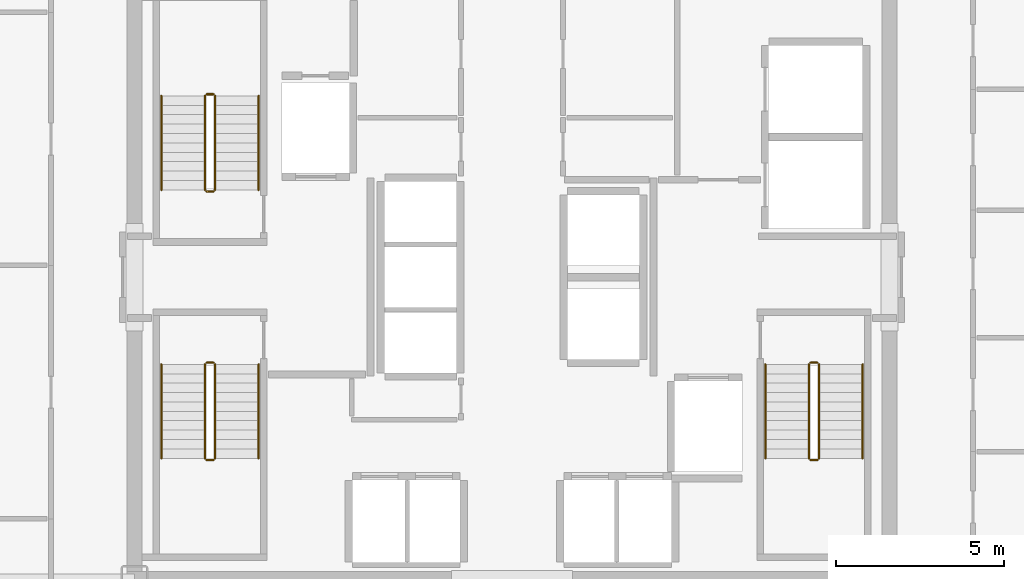
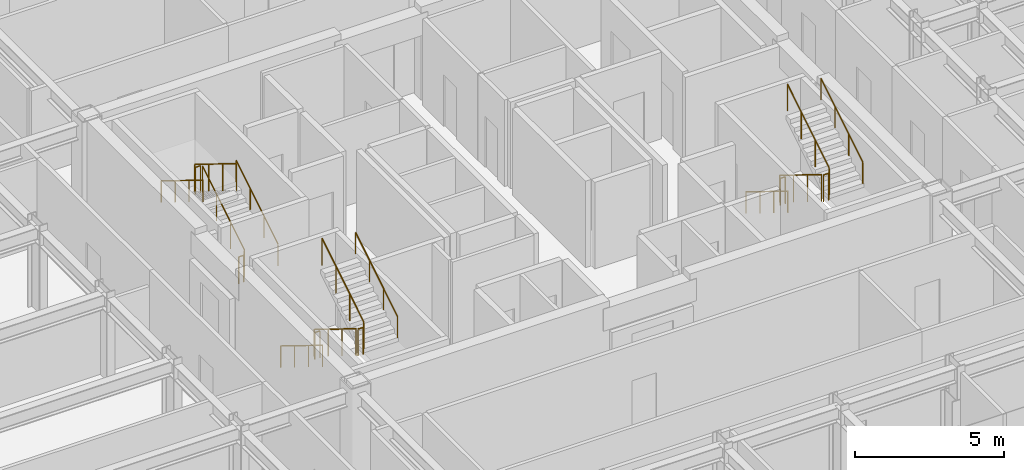
# One storey, part 21 of 21: 18 railings.
"""IFC4 building model written with IfcOpenShell, lengths in metres."""

from ifc_helpers import new_model, si_unit, direction, frame, origin, origin_2d, place, context, subcontext, project, spatial, circle, extrude, material, type_object, element, save


model = new_model("IFC4")

# Units and contexts
model_context = context("Model", 3, precision=1e-05, world=origin(), true_north=direction((0.0, 1.0)))
body_context = subcontext(model_context, "Body", "Model", "MODEL_VIEW")
ifc_project = project(units=[si_unit("LENGTHUNIT", "METRE"), si_unit("AREAUNIT", "SQUARE_METRE"), si_unit("VOLUMEUNIT", "CUBIC_METRE"), si_unit("PLANEANGLEUNIT", "RADIAN"), si_unit("MASSUNIT", "GRAM", prefix="KILO")], contexts=[model_context])

# Site, building, storey
site_placement = place(None, origin())
site = spatial("IfcSite", under=ifc_project, at=site_placement, CompositionType="ELEMENT")
building_placement = place(site_placement, origin())
building = spatial("IfcBuilding", under=site, at=building_placement, Name="Nefas-Gora Pilgrimage Tower", CompositionType="ELEMENT")
storey_placement = place(building_placement, frame((0.0, 0.0, 252.199951171875)))
storey = spatial("IfcBuildingStorey", under=building, at=storey_placement, Name="L63", CompositionType="ELEMENT", Elevation=252.199951171875)

# Railings
ifc_material_1 = material(Name="Painted galvanised steel", Category="steel")
railing_type_1 = type_object("IfcRailingType", Name="RLG-STR-GUARD-1100", PredefinedType="GUARDRAIL", material=ifc_material_1)
railing_1_placement = place(storey_placement, frame((-8.85009765625, 2.60009765625, 0.1728515625)))
element("IfcRailing", 1, at=railing_1_placement, inside=storey, type_object=railing_type_1, Name="L63 ST-01 stair guard 1", PredefinedType="GUARDRAIL", context=body_context, shape_type="SweptSolid", body=[
    extrude(circle(Radius=0.02392578125, at=origin_2d()), frame((0.0, 0.0, 1.09619140625), z_axis=(0.0, 0.851069175582, 0.525053576669), x_axis=(-1.0, 0.0, 0.0)), (0.0, 0.0, 1.0), 3.289794921875),
    extrude(circle(Radius=0.02099609375, at=origin_2d()), origin(), (0.0, 0.0, 1.0), 1.072021484375),
    extrude(circle(Radius=0.02099609375, at=origin_2d()), frame((0.0, 0.933349609375, 0.57568359375)), (0.0, 0.0, 1.0), 1.072021484375),
    extrude(circle(Radius=0.02099609375, at=origin_2d()), frame((0.0, 1.866455078125, 1.151611328125)), (0.0, 0.0, 1.0), 1.072021484375),
    extrude(circle(Radius=0.02099609375, at=origin_2d()), frame((0.0, 2.7998046875, 1.727294921875)), (0.0, 0.0, 1.0), 1.072021484375),
])
railing_2_placement = place(storey_placement, frame((-8.89990234375, 5.449951171875, 1.900146484375)))
element("IfcRailing", 2, at=railing_2_placement, inside=storey, type_object=railing_type_1, Name="L63 ST-01 stair guard 2", PredefinedType="GUARDRAIL", context=body_context, shape_type="SweptSolid", body=[
    extrude(circle(Radius=0.02392578125, at=origin_2d()), frame((0.0, 0.0, 1.09619140625), z_axis=(-1.0, 0.0, 0.0), x_axis=(0.0, -1.0, 0.0)), (0.0, 0.0, 1.0), 0.2001953125),
    extrude(circle(Radius=0.02099609375, at=origin_2d()), origin(), (0.0, 0.0, 1.0), 1.072021484375),
    extrude(circle(Radius=0.02099609375, at=origin_2d()), frame((-0.2001953125, 0.0, 0.0)), (0.0, 0.0, 1.0), 1.072021484375),
])
railing_3_placement = place(storey_placement, frame((-9.14990234375, 5.39990234375, 2.07275390625)))
element("IfcRailing", 3, at=railing_3_placement, inside=storey, type_object=railing_type_1, Name="L63 ST-01 stair guard 3", PredefinedType="GUARDRAIL", context=body_context, shape_type="SweptSolid", body=[
    extrude(circle(Radius=0.02392578125, at=origin_2d()), frame((0.0, 0.0, 1.09619140625), z_axis=(0.0, -0.851069175582, 0.525053576669), x_axis=(1.0, 0.0, 0.0)), (0.0, 0.0, 1.0), 3.289794921875),
    extrude(circle(Radius=0.02099609375, at=origin_2d()), origin(), (0.0, 0.0, 1.0), 1.072021484375),
    extrude(circle(Radius=0.02099609375, at=origin_2d()), frame((0.0, -0.933349609375, 0.57568359375)), (0.0, 0.0, 1.0), 1.072021484375),
    extrude(circle(Radius=0.02099609375, at=origin_2d()), frame((0.0, -1.866455078125, 1.151611328125)), (0.0, 0.0, 1.0), 1.072021484375),
    extrude(circle(Radius=0.02099609375, at=origin_2d()), frame((0.0, -2.7998046875, 1.727294921875)), (0.0, 0.0, 1.0), 1.072021484375),
])
railing_4_placement = place(storey_placement, frame((-8.89990234375, 2.550048828125, 0.0)))
element("IfcRailing", 4, at=railing_4_placement, inside=storey, type_object=railing_type_1, Name="L63 ST-01 stair guard 4", PredefinedType="GUARDRAIL", context=body_context, shape_type="SweptSolid", body=[
    extrude(circle(Radius=0.02392578125, at=origin_2d()), frame((0.0, 0.0, 1.09619140625), z_axis=(-1.0, 0.0, 0.0), x_axis=(0.0, -1.0, 0.0)), (0.0, 0.0, 1.0), 0.2001953125),
    extrude(circle(Radius=0.02099609375, at=origin_2d()), origin(), (0.0, 0.0, 1.0), 1.072021484375),
    extrude(circle(Radius=0.02099609375, at=origin_2d()), frame((-0.2001953125, 0.0, 0.0)), (0.0, 0.0, 1.0), 1.072021484375),
])
railing_5_placement = place(storey_placement, frame((8.85009765625, -2.60009765625, 0.1728515625)))
element("IfcRailing", 5, at=railing_5_placement, inside=storey, type_object=railing_type_1, Name="L63 ST-02 stair guard 1", PredefinedType="GUARDRAIL", context=body_context, shape_type="SweptSolid", body=[
    extrude(circle(Radius=0.02392578125, at=origin_2d()), frame((0.0, 0.0, 1.09619140625), z_axis=(0.0, -0.851069175582, 0.525053576669), x_axis=(1.0, 0.0, 0.0)), (0.0, 0.0, 1.0), 3.289794921875),
    extrude(circle(Radius=0.02099609375, at=origin_2d()), origin(), (0.0, 0.0, 1.0), 1.072021484375),
    extrude(circle(Radius=0.02099609375, at=origin_2d()), frame((0.0, -0.933349609375, 0.57568359375)), (0.0, 0.0, 1.0), 1.072021484375),
    extrude(circle(Radius=0.02099609375, at=origin_2d()), frame((0.0, -1.866455078125, 1.151611328125)), (0.0, 0.0, 1.0), 1.072021484375),
    extrude(circle(Radius=0.02099609375, at=origin_2d()), frame((0.0, -2.7998046875, 1.727294921875)), (0.0, 0.0, 1.0), 1.072021484375),
])
railing_6_placement = place(storey_placement, frame((8.89990234375, -5.449951171875, 1.900146484375)))
element("IfcRailing", 6, at=railing_6_placement, inside=storey, type_object=railing_type_1, Name="L63 ST-02 stair guard 2", PredefinedType="GUARDRAIL", context=body_context, shape_type="SweptSolid", body=[
    extrude(circle(Radius=0.02392578125, at=origin_2d()), frame((0.0, 0.0, 1.09619140625), z_axis=(1.0, 0.0, 0.0), x_axis=(0.0, 1.0, 0.0)), (0.0, 0.0, 1.0), 0.2001953125),
    extrude(circle(Radius=0.02099609375, at=origin_2d()), origin(), (0.0, 0.0, 1.0), 1.072021484375),
    extrude(circle(Radius=0.02099609375, at=origin_2d()), frame((0.2001953125, 0.0, 0.0)), (0.0, 0.0, 1.0), 1.072021484375),
])
railing_7_placement = place(storey_placement, frame((9.14990234375, -5.39990234375, 2.07275390625)))
element("IfcRailing", 7, at=railing_7_placement, inside=storey, type_object=railing_type_1, Name="L63 ST-02 stair guard 3", PredefinedType="GUARDRAIL", context=body_context, shape_type="SweptSolid", body=[
    extrude(circle(Radius=0.02392578125, at=origin_2d()), frame((0.0, 0.0, 1.09619140625), z_axis=(0.0, 0.851069175582, 0.525053576669), x_axis=(-1.0, 0.0, 0.0)), (0.0, 0.0, 1.0), 3.289794921875),
    extrude(circle(Radius=0.02099609375, at=origin_2d()), origin(), (0.0, 0.0, 1.0), 1.072021484375),
    extrude(circle(Radius=0.02099609375, at=origin_2d()), frame((0.0, 0.933349609375, 0.57568359375)), (0.0, 0.0, 1.0), 1.072021484375),
    extrude(circle(Radius=0.02099609375, at=origin_2d()), frame((0.0, 1.866455078125, 1.151611328125)), (0.0, 0.0, 1.0), 1.072021484375),
    extrude(circle(Radius=0.02099609375, at=origin_2d()), frame((0.0, 2.7998046875, 1.727294921875)), (0.0, 0.0, 1.0), 1.072021484375),
])
railing_8_placement = place(storey_placement, frame((8.89990234375, -2.550048828125, 0.0)))
element("IfcRailing", 8, at=railing_8_placement, inside=storey, type_object=railing_type_1, Name="L63 ST-02 stair guard 4", PredefinedType="GUARDRAIL", context=body_context, shape_type="SweptSolid", body=[
    extrude(circle(Radius=0.02392578125, at=origin_2d()), frame((0.0, 0.0, 1.09619140625), z_axis=(1.0, 0.0, 0.0), x_axis=(0.0, 1.0, 0.0)), (0.0, 0.0, 1.0), 0.2001953125),
    extrude(circle(Radius=0.02099609375, at=origin_2d()), origin(), (0.0, 0.0, 1.0), 1.072021484375),
    extrude(circle(Radius=0.02099609375, at=origin_2d()), frame((0.2001953125, 0.0, 0.0)), (0.0, 0.0, 1.0), 1.072021484375),
])
railing_9_placement = place(storey_placement, frame((-9.14990234375, -2.60009765625, 0.1728515625)))
element("IfcRailing", 9, at=railing_9_placement, inside=storey, type_object=railing_type_1, Name="L63 ST-03 stair guard 1", PredefinedType="GUARDRAIL", context=body_context, shape_type="SweptSolid", body=[
    extrude(circle(Radius=0.02392578125, at=origin_2d()), frame((0.0, 0.0, 1.09619140625), z_axis=(0.0, -0.851069175582, 0.525053576669), x_axis=(1.0, 0.0, 0.0)), (0.0, 0.0, 1.0), 3.289794921875),
    extrude(circle(Radius=0.02099609375, at=origin_2d()), origin(), (0.0, 0.0, 1.0), 1.072021484375),
    extrude(circle(Radius=0.02099609375, at=origin_2d()), frame((0.0, -0.933349609375, 0.57568359375)), (0.0, 0.0, 1.0), 1.072021484375),
    extrude(circle(Radius=0.02099609375, at=origin_2d()), frame((0.0, -1.866455078125, 1.151611328125)), (0.0, 0.0, 1.0), 1.072021484375),
    extrude(circle(Radius=0.02099609375, at=origin_2d()), frame((0.0, -2.7998046875, 1.727294921875)), (0.0, 0.0, 1.0), 1.072021484375),
])
railing_10_placement = place(storey_placement, frame((-9.10009765625, -5.449951171875, 1.900146484375)))
element("IfcRailing", 10, at=railing_10_placement, inside=storey, type_object=railing_type_1, Name="L63 ST-03 stair guard 2", PredefinedType="GUARDRAIL", context=body_context, shape_type="SweptSolid", body=[
    extrude(circle(Radius=0.02392578125, at=origin_2d()), frame((0.0, 0.0, 1.09619140625), z_axis=(1.0, 0.0, 0.0), x_axis=(0.0, 1.0, 0.0)), (0.0, 0.0, 1.0), 0.2001953125),
    extrude(circle(Radius=0.02099609375, at=origin_2d()), origin(), (0.0, 0.0, 1.0), 1.072021484375),
    extrude(circle(Radius=0.02099609375, at=origin_2d()), frame((0.2001953125, 0.0, 0.0)), (0.0, 0.0, 1.0), 1.072021484375),
])
railing_11_placement = place(storey_placement, frame((-8.85009765625, -5.39990234375, 2.07275390625)))
element("IfcRailing", 11, at=railing_11_placement, inside=storey, type_object=railing_type_1, Name="L63 ST-03 stair guard 3", PredefinedType="GUARDRAIL", context=body_context, shape_type="SweptSolid", body=[
    extrude(circle(Radius=0.02392578125, at=origin_2d()), frame((0.0, 0.0, 1.09619140625), z_axis=(0.0, 0.851069175582, 0.525053576669), x_axis=(-1.0, 0.0, 0.0)), (0.0, 0.0, 1.0), 3.289794921875),
    extrude(circle(Radius=0.02099609375, at=origin_2d()), origin(), (0.0, 0.0, 1.0), 1.072021484375),
    extrude(circle(Radius=0.02099609375, at=origin_2d()), frame((0.0, 0.933349609375, 0.57568359375)), (0.0, 0.0, 1.0), 1.072021484375),
    extrude(circle(Radius=0.02099609375, at=origin_2d()), frame((0.0, 1.866455078125, 1.151611328125)), (0.0, 0.0, 1.0), 1.072021484375),
    extrude(circle(Radius=0.02099609375, at=origin_2d()), frame((0.0, 2.7998046875, 1.727294921875)), (0.0, 0.0, 1.0), 1.072021484375),
])
railing_12_placement = place(storey_placement, frame((-9.10009765625, -2.550048828125, 0.0)))
element("IfcRailing", 12, at=railing_12_placement, inside=storey, type_object=railing_type_1, Name="L63 ST-03 stair guard 4", PredefinedType="GUARDRAIL", context=body_context, shape_type="SweptSolid", body=[
    extrude(circle(Radius=0.02392578125, at=origin_2d()), frame((0.0, 0.0, 1.09619140625), z_axis=(1.0, 0.0, 0.0), x_axis=(0.0, 1.0, 0.0)), (0.0, 0.0, 1.0), 0.2001953125),
    extrude(circle(Radius=0.02099609375, at=origin_2d()), origin(), (0.0, 0.0, 1.0), 1.072021484375),
    extrude(circle(Radius=0.02099609375, at=origin_2d()), frame((0.2001953125, 0.0, 0.0)), (0.0, 0.0, 1.0), 1.072021484375),
])
ifc_material_2 = material(Name="Brushed stainless steel", Category="steel")
railing_type_2 = type_object("IfcRailingType", Name="RLG-STR-HAND-900", PredefinedType="HANDRAIL", material=ifc_material_2)
railing_13_placement = place(storey_placement, frame((-7.550048828125, 2.60009765625, 0.1728515625)))
element("IfcRailing", 13, at=railing_13_placement, inside=storey, type_object=railing_type_2, Name="L63 ST-01 stair handrail 1", PredefinedType="HANDRAIL", context=body_context, shape_type="SweptSolid", body=[
    extrude(circle(Radius=0.02392578125, at=origin_2d()), frame((0.0, 0.0, 0.8759765625), z_axis=(0.0, 0.851069175582, 0.525053576669), x_axis=(-1.0, 0.0, 0.0)), (0.0, 0.0, 1.0), 3.289794921875),
    extrude(circle(Radius=0.02099609375, at=origin_2d()), origin(), (0.0, 0.0, 1.0), 0.851806640625),
    extrude(circle(Radius=0.02099609375, at=origin_2d()), frame((0.0, 0.933349609375, 0.57568359375)), (0.0, 0.0, 1.0), 0.851806640625),
    extrude(circle(Radius=0.02099609375, at=origin_2d()), frame((0.0, 1.866455078125, 1.151611328125)), (0.0, 0.0, 1.0), 0.851806640625),
    extrude(circle(Radius=0.02099609375, at=origin_2d()), frame((0.0, 2.7998046875, 1.727294921875)), (0.0, 0.0, 1.0), 0.851806640625),
])
for number, where, name in (
    (14, (-10.449951171875, 5.39990234375, 2.07275390625), "L63 ST-01 stair handrail 2"),
    (15, (7.550048828125, -2.60009765625, 0.1728515625), "L63 ST-02 stair handrail 1"),
):
    element("IfcRailing", number, at=place(storey_placement, frame(where)), inside=storey, type_object=railing_type_2, Name=name, PredefinedType="HANDRAIL", context=body_context, shape_type="SweptSolid", body=[
        extrude(circle(Radius=0.02392578125, at=origin_2d()), frame((0.0, 0.0, 0.8759765625), z_axis=(0.0, -0.851069175582, 0.525053576669), x_axis=(1.0, 0.0, 0.0)), (0.0, 0.0, 1.0), 3.289794921875),
        extrude(circle(Radius=0.02099609375, at=origin_2d()), origin(), (0.0, 0.0, 1.0), 0.851806640625),
        extrude(circle(Radius=0.02099609375, at=origin_2d()), frame((0.0, -0.933349609375, 0.57568359375)), (0.0, 0.0, 1.0), 0.851806640625),
        extrude(circle(Radius=0.02099609375, at=origin_2d()), frame((0.0, -1.866455078125, 1.151611328125)), (0.0, 0.0, 1.0), 0.851806640625),
        extrude(circle(Radius=0.02099609375, at=origin_2d()), frame((0.0, -2.7998046875, 1.727294921875)), (0.0, 0.0, 1.0), 0.851806640625),
    ])
railing_14_placement = place(storey_placement, frame((10.449951171875, -5.39990234375, 2.07275390625)))
element("IfcRailing", 16, at=railing_14_placement, inside=storey, type_object=railing_type_2, Name="L63 ST-02 stair handrail 2", PredefinedType="HANDRAIL", context=body_context, shape_type="SweptSolid", body=[
    extrude(circle(Radius=0.02392578125, at=origin_2d()), frame((0.0, 0.0, 0.8759765625), z_axis=(0.0, 0.851069175582, 0.525053576669), x_axis=(-1.0, 0.0, 0.0)), (0.0, 0.0, 1.0), 3.289794921875),
    extrude(circle(Radius=0.02099609375, at=origin_2d()), origin(), (0.0, 0.0, 1.0), 0.851806640625),
    extrude(circle(Radius=0.02099609375, at=origin_2d()), frame((0.0, 0.933349609375, 0.57568359375)), (0.0, 0.0, 1.0), 0.851806640625),
    extrude(circle(Radius=0.02099609375, at=origin_2d()), frame((0.0, 1.866455078125, 1.151611328125)), (0.0, 0.0, 1.0), 0.851806640625),
    extrude(circle(Radius=0.02099609375, at=origin_2d()), frame((0.0, 2.7998046875, 1.727294921875)), (0.0, 0.0, 1.0), 0.851806640625),
])
railing_15_placement = place(storey_placement, frame((-10.449951171875, -2.60009765625, 0.1728515625)))
element("IfcRailing", 17, at=railing_15_placement, inside=storey, type_object=railing_type_2, Name="L63 ST-03 stair handrail 1", PredefinedType="HANDRAIL", context=body_context, shape_type="SweptSolid", body=[
    extrude(circle(Radius=0.02392578125, at=origin_2d()), frame((0.0, 0.0, 0.8759765625), z_axis=(0.0, -0.851069175582, 0.525053576669), x_axis=(1.0, 0.0, 0.0)), (0.0, 0.0, 1.0), 3.289794921875),
    extrude(circle(Radius=0.02099609375, at=origin_2d()), origin(), (0.0, 0.0, 1.0), 0.851806640625),
    extrude(circle(Radius=0.02099609375, at=origin_2d()), frame((0.0, -0.933349609375, 0.57568359375)), (0.0, 0.0, 1.0), 0.851806640625),
    extrude(circle(Radius=0.02099609375, at=origin_2d()), frame((0.0, -1.866455078125, 1.151611328125)), (0.0, 0.0, 1.0), 0.851806640625),
    extrude(circle(Radius=0.02099609375, at=origin_2d()), frame((0.0, -2.7998046875, 1.727294921875)), (0.0, 0.0, 1.0), 0.851806640625),
])
railing_16_placement = place(storey_placement, frame((-7.550048828125, -5.39990234375, 2.07275390625)))
element("IfcRailing", 18, at=railing_16_placement, inside=storey, type_object=railing_type_2, Name="L63 ST-03 stair handrail 2", PredefinedType="HANDRAIL", context=body_context, shape_type="SweptSolid", body=[
    extrude(circle(Radius=0.02392578125, at=origin_2d()), frame((0.0, 0.0, 0.8759765625), z_axis=(0.0, 0.851069175582, 0.525053576669), x_axis=(-1.0, 0.0, 0.0)), (0.0, 0.0, 1.0), 3.289794921875),
    extrude(circle(Radius=0.02099609375, at=origin_2d()), origin(), (0.0, 0.0, 1.0), 0.851806640625),
    extrude(circle(Radius=0.02099609375, at=origin_2d()), frame((0.0, 0.933349609375, 0.57568359375)), (0.0, 0.0, 1.0), 0.851806640625),
    extrude(circle(Radius=0.02099609375, at=origin_2d()), frame((0.0, 1.866455078125, 1.151611328125)), (0.0, 0.0, 1.0), 0.851806640625),
    extrude(circle(Radius=0.02099609375, at=origin_2d()), frame((0.0, 2.7998046875, 1.727294921875)), (0.0, 0.0, 1.0), 0.851806640625),
])

save(model, "model.ifc")
